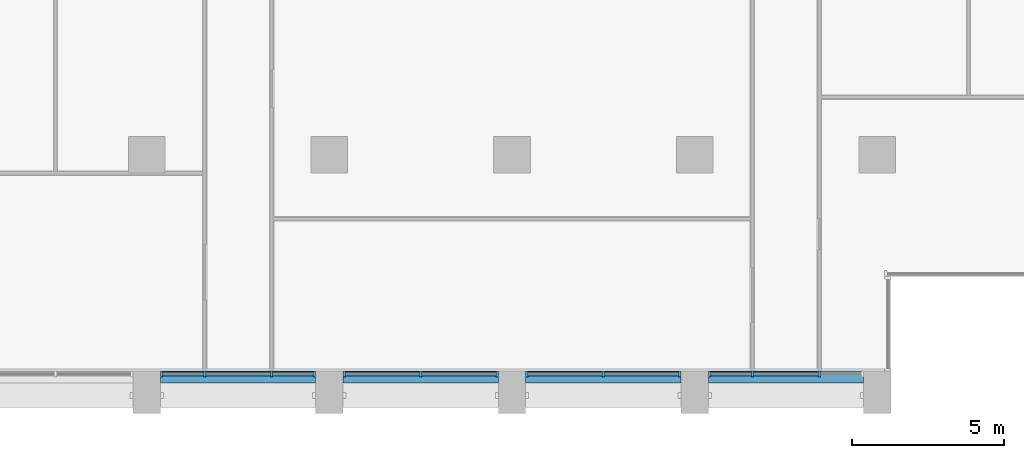
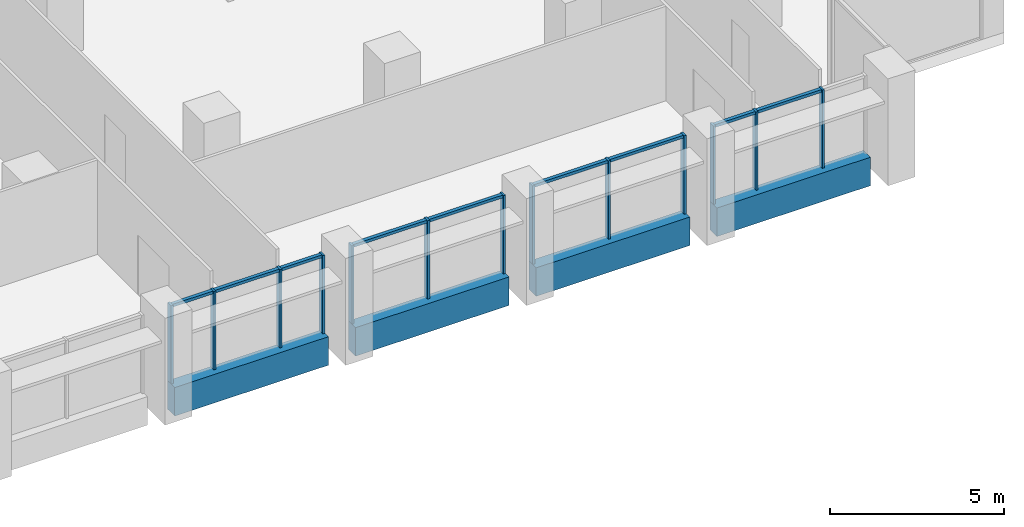
# One storey, part 3 of 15: 22 members, 4 beams, 4 elements without a shape of their own.
"""IFC4 building model written with IfcOpenShell, lengths in metres."""

from ifc_helpers import new_model, si_unit, direction, frame, origin, origin_2d, place, context, subcontext, project, spatial, rectangle, extrude, material, material_profile, profile_set, type_object, element, aggregate, save


model = new_model("IFC4")

# Units and contexts
model_context = context("Model", 3, precision=1e-05, world=origin(), true_north=direction((0.0, 1.0)))
body_context = subcontext(model_context, "Body", "Model", "MODEL_VIEW")
ifc_project = project(units=[si_unit("LENGTHUNIT", "METRE"), si_unit("AREAUNIT", "SQUARE_METRE"), si_unit("VOLUMEUNIT", "CUBIC_METRE"), si_unit("PLANEANGLEUNIT", "RADIAN"), si_unit("MASSUNIT", "GRAM", prefix="KILO")], contexts=[model_context])

# Site, building, storey
site_placement = place(None, origin())
site = spatial("IfcSite", under=ifc_project, at=site_placement, CompositionType="ELEMENT")
building_placement = place(site_placement, origin())
building = spatial("IfcBuilding", under=site, at=building_placement, Name="Calvaro Tower", CompositionType="ELEMENT")
storey_placement = place(building_placement, frame((0.0, 0.0, 151.25)))
storey = spatial("IfcBuildingStorey", under=building, at=storey_placement, Name="L38", CompositionType="ELEMENT", Elevation=151.25)

# Curtain wall, members
ifc_material_1 = material(Name="Anodised aluminium", Category="aluminium")
curtain_wall_type = type_object("IfcCurtainWallType", Name="Office curtain wall, middle zone", PredefinedType="NOTDEFINED", material=ifc_material_1)
curtain_wall_1_placement = place(storey_placement, origin())
curtain_wall_1 = element("IfcCurtainWall", 1, at=curtain_wall_1_placement, inside=storey, type_object=curtain_wall_type, Name="CW2 south curtain wall", PredefinedType="NOTDEFINED")
ifc_material_2 = material(Name="Anodised aluminium", Category="aluminium")
ifc_material_profile_1 = material_profile(ifc_material_2, rectangle(XDim=0.199951171875, YDim=0.070068359375, at=origin_2d()), Name="Mullion S2 70 x 200")
ifc_profile_set_1 = profile_set([ifc_material_profile_1], Name="Anodised aluminium")
member_type_1 = type_object("IfcMemberType", Name="Mullion S2 70 x 200", PredefinedType="MULLION", material=ifc_profile_set_1)
member_1_placement = place(storey_placement, frame((42.485107421875, 2.800048828125, 0.0), z_axis=(0.0, 0.0, 1.0), x_axis=(0.0, 1.0, 0.0)))
member_1 = element("IfcMember", 2, at=member_1_placement, type_object=member_type_1, Name="CW2 mullion 1", PredefinedType="MULLION", context=body_context, shape_type="SweptSolid", body=[
    extrude(rectangle(XDim=0.199951171875, YDim=0.070068359375, at=origin_2d()), origin(), (0.0, 0.0, 1.0), 2.75),
])
member_2_placement = place(storey_placement, frame((43.89990234375, 2.800048828125, 0.0), z_axis=(0.0, 0.0, 1.0), x_axis=(0.0, 1.0, 0.0)))
member_2 = element("IfcMember", 3, at=member_2_placement, type_object=member_type_1, Name="CW2 mullion 2", PredefinedType="MULLION", context=body_context, shape_type="SweptSolid", body=[
    extrude(rectangle(XDim=0.199951171875, YDim=0.070068359375, at=origin_2d()), origin(), (0.0, 0.0, 1.0), 2.75),
])
member_3_placement = place(storey_placement, frame((46.10009765625, 2.800048828125, 0.0), z_axis=(0.0, 0.0, 1.0), x_axis=(0.0, 1.0, 0.0)))
member_3 = element("IfcMember", 4, at=member_3_placement, type_object=member_type_1, Name="CW2 mullion 3", PredefinedType="MULLION", context=body_context, shape_type="SweptSolid", body=[
    extrude(rectangle(XDim=0.199951171875, YDim=0.070068359375, at=origin_2d()), origin(), (0.0, 0.0, 1.0), 2.75),
])
member_4_placement = place(storey_placement, frame((47.514892578125, 2.800048828125, 0.0), z_axis=(0.0, 0.0, 1.0), x_axis=(0.0, 1.0, 0.0)))
member_4 = element("IfcMember", 5, at=member_4_placement, type_object=member_type_1, Name="CW2 mullion 4", PredefinedType="MULLION", context=body_context, shape_type="SweptSolid", body=[
    extrude(rectangle(XDim=0.199951171875, YDim=0.070068359375, at=origin_2d()), origin(), (0.0, 0.0, 1.0), 2.75),
])

curtain_wall_2_placement = place(storey_placement, origin())
curtain_wall_2 = element("IfcCurtainWall", 6, at=curtain_wall_2_placement, inside=storey, type_object=curtain_wall_type, Name="CW2 south curtain wall", PredefinedType="NOTDEFINED")
member_5_placement = place(storey_placement, frame((48.485107421875, 2.800048828125, 0.0), z_axis=(0.0, 0.0, 1.0), x_axis=(0.0, 1.0, 0.0)))
member_5 = element("IfcMember", 7, at=member_5_placement, type_object=member_type_1, Name="CW2 mullion 1", PredefinedType="MULLION", context=body_context, shape_type="SweptSolid", body=[
    extrude(rectangle(XDim=0.199951171875, YDim=0.070068359375, at=origin_2d()), origin(), (0.0, 0.0, 1.0), 2.75),
])
member_6_placement = place(storey_placement, frame((51.0, 2.800048828125, 0.0), z_axis=(0.0, 0.0, 1.0), x_axis=(0.0, 1.0, 0.0)))
member_6 = element("IfcMember", 8, at=member_6_placement, type_object=member_type_1, Name="CW2 mullion 2", PredefinedType="MULLION", context=body_context, shape_type="SweptSolid", body=[
    extrude(rectangle(XDim=0.199951171875, YDim=0.070068359375, at=origin_2d()), origin(), (0.0, 0.0, 1.0), 2.75),
])
member_7_placement = place(storey_placement, frame((53.514892578125, 2.800048828125, 0.0), z_axis=(0.0, 0.0, 1.0), x_axis=(0.0, 1.0, 0.0)))
member_7 = element("IfcMember", 9, at=member_7_placement, type_object=member_type_1, Name="CW2 mullion 3", PredefinedType="MULLION", context=body_context, shape_type="SweptSolid", body=[
    extrude(rectangle(XDim=0.199951171875, YDim=0.070068359375, at=origin_2d()), origin(), (0.0, 0.0, 1.0), 2.75),
])

curtain_wall_3_placement = place(storey_placement, origin())
curtain_wall_3 = element("IfcCurtainWall", 10, at=curtain_wall_3_placement, inside=storey, type_object=curtain_wall_type, Name="CW2 south curtain wall", PredefinedType="NOTDEFINED")
member_8_placement = place(storey_placement, frame((54.485107421875, 2.800048828125, 0.0), z_axis=(0.0, 0.0, 1.0), x_axis=(0.0, 1.0, 0.0)))
member_8 = element("IfcMember", 11, at=member_8_placement, type_object=member_type_1, Name="CW2 mullion 1", PredefinedType="MULLION", context=body_context, shape_type="SweptSolid", body=[
    extrude(rectangle(XDim=0.199951171875, YDim=0.070068359375, at=origin_2d()), origin(), (0.0, 0.0, 1.0), 2.75),
])
member_9_placement = place(storey_placement, frame((57.0, 2.800048828125, 0.0), z_axis=(0.0, 0.0, 1.0), x_axis=(0.0, 1.0, 0.0)))
member_9 = element("IfcMember", 12, at=member_9_placement, type_object=member_type_1, Name="CW2 mullion 2", PredefinedType="MULLION", context=body_context, shape_type="SweptSolid", body=[
    extrude(rectangle(XDim=0.199951171875, YDim=0.070068359375, at=origin_2d()), origin(), (0.0, 0.0, 1.0), 2.75),
])
member_10_placement = place(storey_placement, frame((59.514892578125, 2.800048828125, 0.0), z_axis=(0.0, 0.0, 1.0), x_axis=(0.0, 1.0, 0.0)))
member_10 = element("IfcMember", 13, at=member_10_placement, type_object=member_type_1, Name="CW2 mullion 3", PredefinedType="MULLION", context=body_context, shape_type="SweptSolid", body=[
    extrude(rectangle(XDim=0.199951171875, YDim=0.070068359375, at=origin_2d()), origin(), (0.0, 0.0, 1.0), 2.75),
])

curtain_wall_4_placement = place(storey_placement, origin())
curtain_wall_4 = element("IfcCurtainWall", 14, at=curtain_wall_4_placement, inside=storey, type_object=curtain_wall_type, Name="CW2 south curtain wall", PredefinedType="NOTDEFINED")
member_11_placement = place(storey_placement, frame((60.485107421875, 2.800048828125, 0.0), z_axis=(0.0, 0.0, 1.0), x_axis=(0.0, 1.0, 0.0)))
member_11 = element("IfcMember", 15, at=member_11_placement, type_object=member_type_1, Name="CW2 mullion 1", PredefinedType="MULLION", context=body_context, shape_type="SweptSolid", body=[
    extrude(rectangle(XDim=0.199951171875, YDim=0.070068359375, at=origin_2d()), origin(), (0.0, 0.0, 1.0), 2.75),
])
member_12_placement = place(storey_placement, frame((61.89990234375, 2.800048828125, 0.0), z_axis=(0.0, 0.0, 1.0), x_axis=(0.0, 1.0, 0.0)))
member_12 = element("IfcMember", 16, at=member_12_placement, type_object=member_type_1, Name="CW2 mullion 2", PredefinedType="MULLION", context=body_context, shape_type="SweptSolid", body=[
    extrude(rectangle(XDim=0.199951171875, YDim=0.070068359375, at=origin_2d()), origin(), (0.0, 0.0, 1.0), 2.75),
])
member_13_placement = place(storey_placement, frame((64.10009765625, 2.800048828125, 0.0), z_axis=(0.0, 0.0, 1.0), x_axis=(0.0, 1.0, 0.0)))
member_13 = element("IfcMember", 17, at=member_13_placement, type_object=member_type_1, Name="CW2 mullion 3", PredefinedType="MULLION", context=body_context, shape_type="SweptSolid", body=[
    extrude(rectangle(XDim=0.199951171875, YDim=0.070068359375, at=origin_2d()), origin(), (0.0, 0.0, 1.0), 2.75),
])

# Beams
ifc_material_3 = material(Name="Concrete C50/60 precast", Category="concrete")
ifc_material_profile_2 = material_profile(ifc_material_3, rectangle(XDim=0.39990234375, YDim=1.0, at=origin_2d()), Name="RC 400x1000")
ifc_profile_set_2 = profile_set([ifc_material_profile_2], Name="Concrete C50/60 precast")
beam_type = type_object("IfcBeamType", Name="Spandrel beam 400x1000 C50/60", PredefinedType="SPANDREL", material=ifc_profile_set_2)
for number, where, z_axis, x_axis, name in (
    (18, (42.449951171875, 2.699951171875, -0.5), (1.0, 0.0, 0.0), (0.0, 1.0, 0.0), "Spandrel beam"),
    (19, (48.449951171875, 2.699951171875, -0.5), (1.0, 0.0, 0.0), (0.0, 1.0, 0.0), "Spandrel beam"),
    (20, (54.449951171875, 2.699951171875, -0.5), (1.0, 0.0, 0.0), (0.0, 1.0, 0.0), "Spandrel beam"),
    (21, (60.449951171875, 2.699951171875, -0.5), (1.0, 0.0, 0.0), (0.0, 1.0, 0.0), "Spandrel beam"),
):
    element("IfcBeam", number, at=place(storey_placement, frame(where, z_axis=z_axis, x_axis=x_axis)), inside=storey, type_object=beam_type, Name=name, PredefinedType="SPANDREL", context=body_context, shape_type="SweptSolid", body=[
        extrude(rectangle(XDim=0.39990234375, YDim=1.0, at=origin_2d()), origin(), (0.0, 0.0, 1.0), 5.10009765625),
    ])

# Member
ifc_material_4 = material(Name="Anodised aluminium", Category="aluminium")
ifc_material_profile_3 = material_profile(ifc_material_4, rectangle(XDim=0.1201171875, YDim=0.10009765625, at=origin_2d()), Name="Transom S2 100 x 120")
ifc_profile_set_3 = profile_set([ifc_material_profile_3], Name="Anodised aluminium")
member_type_2 = type_object("IfcMemberType", Name="Transom S2 100 x 120", PredefinedType="USERDEFINED", material=ifc_profile_set_3)
member_14_placement = place(storey_placement, frame((42.52001953125, 2.800048828125, 2.699951171875), z_axis=(1.0, 0.0, 0.0), x_axis=(0.0, 1.0, 0.0)))
member_14 = element("IfcMember", 22, at=member_14_placement, type_object=member_type_2, Name="CW2 transom 1.1", ObjectType="TRANSOM", PredefinedType="USERDEFINED", context=body_context, shape_type="SweptSolid", body=[
    extrude(rectangle(XDim=0.1201171875, YDim=0.10009765625, at=origin_2d()), origin(), (0.0, 0.0, 1.0), 1.344970703125),
])

member_15_placement = place(storey_placement, frame((43.93505859375, 2.800048828125, 2.699951171875), z_axis=(1.0, 0.0, 0.0), x_axis=(0.0, 1.0, 0.0)))
member_15 = element("IfcMember", 23, at=member_15_placement, type_object=member_type_2, Name="CW2 transom 2.1", ObjectType="TRANSOM", PredefinedType="USERDEFINED", context=body_context, shape_type="SweptSolid", body=[
    extrude(rectangle(XDim=0.1201171875, YDim=0.10009765625, at=origin_2d()), origin(), (0.0, 0.0, 1.0), 2.1298828125),
])

member_16_placement = place(storey_placement, frame((46.135009765625, 2.800048828125, 2.699951171875), z_axis=(1.0, 0.0, 0.0), x_axis=(0.0, 1.0, 0.0)))
member_16 = element("IfcMember", 24, at=member_16_placement, type_object=member_type_2, Name="CW2 transom 3.1", ObjectType="TRANSOM", PredefinedType="USERDEFINED", context=body_context, shape_type="SweptSolid", body=[
    extrude(rectangle(XDim=0.1201171875, YDim=0.10009765625, at=origin_2d()), origin(), (0.0, 0.0, 1.0), 1.344970703125),
])

aggregate(curtain_wall_1, [member_1, member_2, member_3, member_4, member_14, member_15, member_16])

member_17_placement = place(storey_placement, frame((48.52001953125, 2.800048828125, 2.699951171875), z_axis=(1.0, 0.0, 0.0), x_axis=(0.0, 1.0, 0.0)))
member_17 = element("IfcMember", 25, at=member_17_placement, type_object=member_type_2, Name="CW2 transom 1.1", ObjectType="TRANSOM", PredefinedType="USERDEFINED", context=body_context, shape_type="SweptSolid", body=[
    extrude(rectangle(XDim=0.1201171875, YDim=0.10009765625, at=origin_2d()), origin(), (0.0, 0.0, 1.0), 2.445068359375),
])

member_18_placement = place(storey_placement, frame((51.034912109375, 2.800048828125, 2.699951171875), z_axis=(1.0, 0.0, 0.0), x_axis=(0.0, 1.0, 0.0)))
member_18 = element("IfcMember", 26, at=member_18_placement, type_object=member_type_2, Name="CW2 transom 2.1", ObjectType="TRANSOM", PredefinedType="USERDEFINED", context=body_context, shape_type="SweptSolid", body=[
    extrude(rectangle(XDim=0.1201171875, YDim=0.10009765625, at=origin_2d()), origin(), (0.0, 0.0, 1.0), 2.445068359375),
])

aggregate(curtain_wall_2, [member_5, member_6, member_7, member_17, member_18])

member_19_placement = place(storey_placement, frame((54.52001953125, 2.800048828125, 2.699951171875), z_axis=(1.0, 0.0, 0.0), x_axis=(0.0, 1.0, 0.0)))
member_19 = element("IfcMember", 27, at=member_19_placement, type_object=member_type_2, Name="CW2 transom 1.1", ObjectType="TRANSOM", PredefinedType="USERDEFINED", context=body_context, shape_type="SweptSolid", body=[
    extrude(rectangle(XDim=0.1201171875, YDim=0.10009765625, at=origin_2d()), origin(), (0.0, 0.0, 1.0), 2.445068359375),
])

member_20_placement = place(storey_placement, frame((57.034912109375, 2.800048828125, 2.699951171875), z_axis=(1.0, 0.0, 0.0), x_axis=(0.0, 1.0, 0.0)))
member_20 = element("IfcMember", 28, at=member_20_placement, type_object=member_type_2, Name="CW2 transom 2.1", ObjectType="TRANSOM", PredefinedType="USERDEFINED", context=body_context, shape_type="SweptSolid", body=[
    extrude(rectangle(XDim=0.1201171875, YDim=0.10009765625, at=origin_2d()), origin(), (0.0, 0.0, 1.0), 2.445068359375),
])

aggregate(curtain_wall_3, [member_8, member_9, member_10, member_19, member_20])

member_21_placement = place(storey_placement, frame((60.52001953125, 2.800048828125, 2.699951171875), z_axis=(1.0, 0.0, 0.0), x_axis=(0.0, 1.0, 0.0)))
member_21 = element("IfcMember", 29, at=member_21_placement, type_object=member_type_2, Name="CW2 transom 1.1", ObjectType="TRANSOM", PredefinedType="USERDEFINED", context=body_context, shape_type="SweptSolid", body=[
    extrude(rectangle(XDim=0.1201171875, YDim=0.10009765625, at=origin_2d()), origin(), (0.0, 0.0, 1.0), 1.344970703125),
])

member_22_placement = place(storey_placement, frame((61.93505859375, 2.800048828125, 2.699951171875), z_axis=(1.0, 0.0, 0.0), x_axis=(0.0, 1.0, 0.0)))
member_22 = element("IfcMember", 30, at=member_22_placement, type_object=member_type_2, Name="CW2 transom 2.1", ObjectType="TRANSOM", PredefinedType="USERDEFINED", context=body_context, shape_type="SweptSolid", body=[
    extrude(rectangle(XDim=0.1201171875, YDim=0.10009765625, at=origin_2d()), origin(), (0.0, 0.0, 1.0), 2.1298828125),
])

aggregate(curtain_wall_4, [member_11, member_12, member_13, member_21, member_22])

save(model, "model.ifc")
